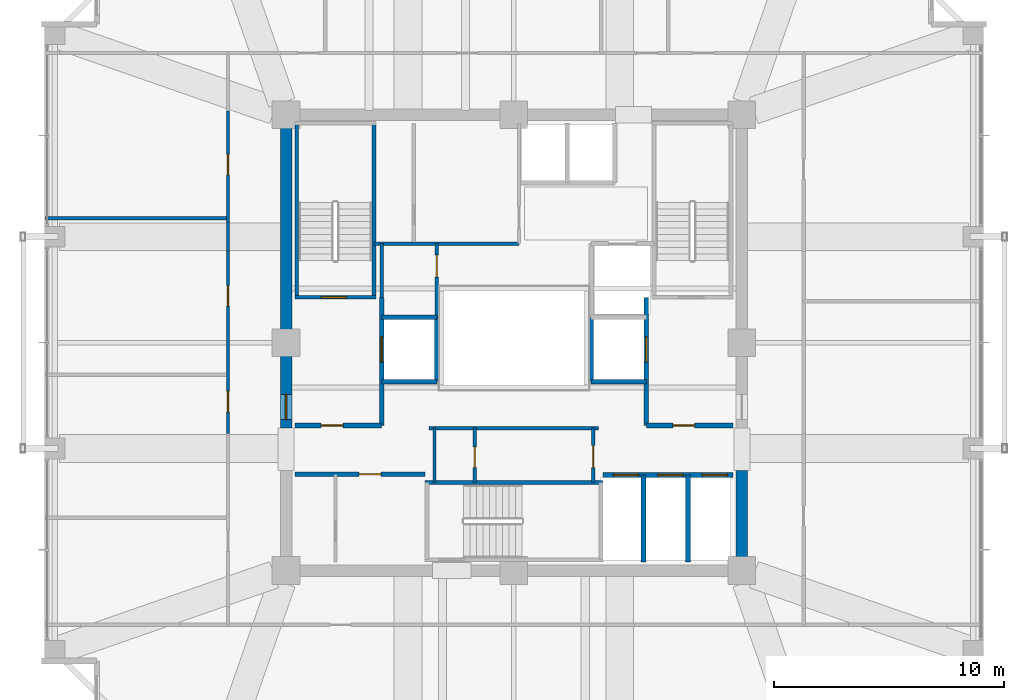
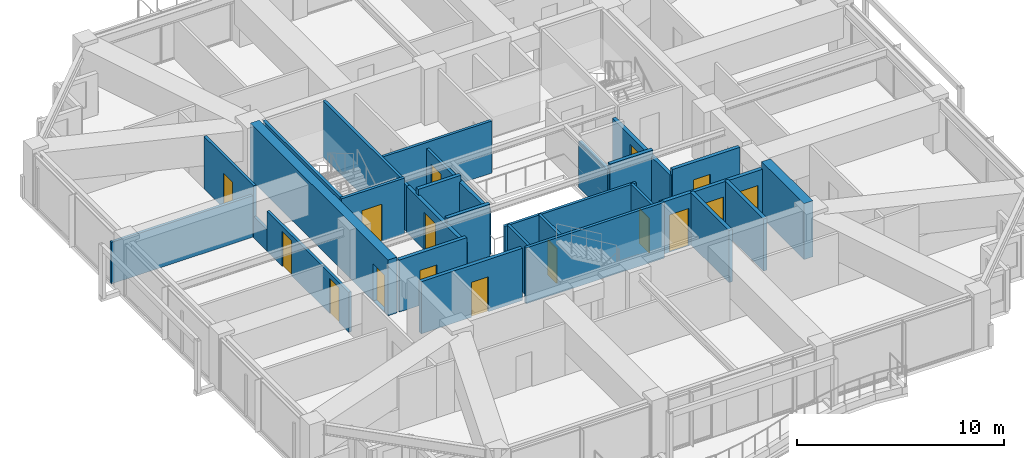
# One storey, part 32 of 37: 30 walls, 16 doors, 16 openings.
"""IFC4 building model written with IfcOpenShell, lengths in metres."""

from ifc_helpers import new_model, si_unit, direction, frame, frame_2d, origin, place, context, subcontext, project, spatial, rectangle, extrude, material, layer, layer_set, type_object, element, fill, save


model = new_model("IFC4")

# Units and contexts
model_context = context("Model", 3, precision=1e-05, world=origin(), true_north=direction((0.0, 1.0)))
body_context = subcontext(model_context, "Body", "Model", "MODEL_VIEW")
ifc_project = project(units=[si_unit("LENGTHUNIT", "METRE"), si_unit("AREAUNIT", "SQUARE_METRE"), si_unit("VOLUMEUNIT", "CUBIC_METRE"), si_unit("PLANEANGLEUNIT", "RADIAN"), si_unit("MASSUNIT", "GRAM", prefix="KILO")], contexts=[model_context])

# Site, building, storey
site_placement = place(None, origin())
site = spatial("IfcSite", under=ifc_project, at=site_placement, CompositionType="ELEMENT")
building_placement = place(site_placement, origin())
building = spatial("IfcBuilding", under=site, at=building_placement, Name="Kolvaren Belvedere", CompositionType="ELEMENT")
storey_placement = place(building_placement, frame((0.0, 0.0, 186.60009765625)))
storey = spatial("IfcBuildingStorey", under=building, at=storey_placement, Name="L54", CompositionType="ELEMENT", Elevation=186.60009765625)

# Wall
ifc_material_1 = material(Name="Concrete C50/60", Category="concrete")
ifc_layer_1 = layer(ifc_material_1, 0.5)
ifc_layer_set_1 = layer_set([ifc_layer_1], Name="Concrete C50/60")
wall_type_1 = type_object("IfcWallType", Name="CW-CORE-500", PredefinedType="SHEAR", material=ifc_layer_set_1)
wall_1_placement = place(storey_placement, frame((9.89990234375, -9.64990234375, 0.0), z_axis=(0.0, 0.0, 1.0), x_axis=(0.0, 1.0, 0.0)))
element("IfcWall", 1, at=wall_1_placement, inside=storey, type_object=wall_type_1, Name="L54 East Core Shear Wall 1", PredefinedType="SHEAR", context=body_context, shape_type="SweptSolid", body=[
    extrude(rectangle(XDim=4.099853515625, YDim=0.5, at=frame_2d((2.0498046875, 0.0))), origin(), (0.0, 0.0, 1.0), 3.2998046875),
])

# Wall, opening, door
wall_2_placement = place(storey_placement, frame((-9.89990234375, -3.699951171875, 0.0), z_axis=(0.0, 0.0, 1.0), x_axis=(0.0, 1.0, 0.0)))
wall_2 = element("IfcWall", 2, at=wall_2_placement, inside=storey, type_object=wall_type_1, Name="L54 West Core Shear Wall 2", PredefinedType="SHEAR", context=body_context, shape_type="SweptSolid", body=[
    extrude(rectangle(XDim=13.349853515625, YDim=0.5, at=frame_2d((6.6748046875, 0.0))), origin(), (0.0, 0.0, 1.0), 3.2998046875),
])
opening_1_placement = place(wall_2_placement, frame((0.35009765625, 0.0, 0.0)))
opening_1 = element("IfcOpeningElement", 3, at=opening_1_placement, cuts=wall_2, Name="Opening D-FD90", PredefinedType="OPENING", context=body_context, shape_type="SweptSolid", body=[
    extrude(rectangle(XDim=1.10009765625, YDim=2.199951171875, at=frame_2d((0.550048828125, 1.10009765625))), frame((0.0, 0.260009765625, 0.0), z_axis=(0.0, -1.0, 0.0), x_axis=(1.0, 0.0, 0.0)), (0.0, 0.0, 1.0), 0.52001953125),
])
ifc_material_2 = material(Name="Painted hollow stainless steel", Category="steel")
door_type_1 = type_object("IfcDoorType", Name="DR-FD90-1100", OperationType="NOTDEFINED", PredefinedType="DOOR", material=ifc_material_2)
door_1_placement = place(opening_1_placement, origin())
door_1 = element("IfcDoor", 4, at=door_1_placement, inside=storey, type_object=door_type_1, Name="L54 West Firefighting Lobby Fire Door", OperationType="SINGLE_SWING_LEFT", OverallHeight=2.199951171875, OverallWidth=1.10009765625, PredefinedType="DOOR", context=body_context, shape_type="SweptSolid", body=[
    extrude(rectangle(XDim=1.10009765625, YDim=2.199951171875, at=frame_2d((0.550048828125, 1.10009765625))), frame((0.0, 0.02490234375, 0.0), z_axis=(0.0, -1.0, 0.0), x_axis=(1.0, 0.0, 0.0)), (0.0, 0.0, 1.0), 0.050048828125),
])
fill(opening_1, door_1)

ifc_material_3 = material(Name="Concrete C50/60", Category="concrete")
ifc_layer_2 = layer(ifc_material_3, 0.159912109375)
ifc_layer_set_2 = layer_set([ifc_layer_2], Name="Concrete C50/60")
wall_type_2 = type_object("IfcWallType", Name="CW-STAIR-160", PredefinedType="SHEAR", material=ifc_layer_set_2)
wall_3_placement = place(storey_placement, frame((-9.52001953125, 1.969970703125, 0.0), z_axis=(0.0, 0.0, 1.0), x_axis=(1.0, 0.0, 0.0)))
wall_3 = element("IfcWall", 5, at=wall_3_placement, inside=storey, type_object=wall_type_2, Name="L54 Stair ST-1 South Shear Wall", PredefinedType="SHEAR", context=body_context, shape_type="SweptSolid", body=[
    extrude(rectangle(XDim=3.52001953125, YDim=0.159912109375, at=frame_2d((1.760009765625, 0.0))), origin(), (0.0, 0.0, 1.0), 3.2998046875),
])
opening_2_placement = place(wall_3_placement, frame((1.14990234375, 0.0, 0.0)))
opening_2 = element("IfcOpeningElement", 6, at=opening_2_placement, cuts=wall_3, Name="Opening D-FD90", PredefinedType="OPENING", context=body_context, shape_type="SweptSolid", body=[
    extrude(rectangle(XDim=1.10009765625, YDim=2.199951171875, at=frame_2d((0.550048828125, 1.10009765625))), frame((0.0, 0.08984375, 0.0), z_axis=(0.0, -1.0, 0.0), x_axis=(1.0, 0.0, 0.0)), (0.0, 0.0, 1.0), 0.179931640625),
])
door_2_placement = place(opening_2_placement, origin())
door_2 = element("IfcDoor", 7, at=door_2_placement, inside=storey, type_object=door_type_1, Name="L54 Stair ST-1 Fire Door", OperationType="SINGLE_SWING_LEFT", OverallHeight=2.199951171875, OverallWidth=1.10009765625, PredefinedType="DOOR", context=body_context, shape_type="SweptSolid", body=[
    extrude(rectangle(XDim=1.10009765625, YDim=2.199951171875, at=frame_2d((0.550048828125, 1.10009765625))), frame((0.0, 0.02490234375, 0.0), z_axis=(0.0, -1.0, 0.0), x_axis=(1.0, 0.0, 0.0)), (0.0, 0.0, 1.0), 0.050048828125),
])
fill(opening_2, door_2)

# Walls
for number, where, z_axis, x_axis, name in (
    (8, (-9.429931640625, 1.969970703125, 0.0), (0.0, 0.0, 1.0), (0.0, 1.0, 0.0), "L54 Stair ST-1 West Shear Wall"),
    (9, (-6.080078125, 1.969970703125, 0.0), (0.0, 0.0, 1.0), (0.0, 1.0, 0.0), "L54 Stair ST-1 East Shear Wall"),
):
    element("IfcWall", number, at=place(storey_placement, frame(where, z_axis=z_axis, x_axis=x_axis)), inside=storey, type_object=wall_type_2, Name=name, PredefinedType="SHEAR", context=body_context, shape_type="SweptSolid", body=[
        extrude(rectangle(XDim=7.56005859375, YDim=0.159912109375, at=frame_2d((3.780029296875, 0.0))), origin(), (0.0, 0.0, 1.0), 3.2998046875),
    ])
wall_4_placement = place(storey_placement, frame((-3.860107421875, -6.080078125, 0.0), z_axis=(0.0, 0.0, 1.0), x_axis=(1.0, 0.0, 0.0)))
element("IfcWall", 10, at=wall_4_placement, inside=storey, type_object=wall_type_2, Name="L54 Stair ST-3 North Shear Wall", PredefinedType="SHEAR", context=body_context, shape_type="SweptSolid", body=[
    extrude(rectangle(XDim=7.72021484375, YDim=0.159912109375, at=frame_2d((3.860107421875, 0.0))), origin(), (0.0, 0.0, 1.0), 3.2998046875),
])

# Wall, openings, doors
ifc_material_4 = material(Name="Gypsum fire-rated partition assembly", Category="gypsum")
ifc_layer_3 = layer(ifc_material_4, 0.14990234375)
ifc_layer_set_3 = layer_set([ifc_layer_3], Name="Gypsum fire-rated partition assembly")
wall_type_3 = type_object("IfcWallType", Name="WL-CORR-150", PredefinedType="PARTITIONING", material=ifc_layer_set_3)
wall_5_placement = place(storey_placement, frame((-12.419921875, -3.9580078125, 0.0), z_axis=(0.0, 0.0, 1.0), x_axis=(0.0, 1.0, 0.0)))
wall_5 = element("IfcWall", 11, at=wall_5_placement, inside=storey, type_object=wall_type_3, Name="L54 West Corridor Wall", PredefinedType="PARTITIONING", context=body_context, shape_type="SweptSolid", body=[
    extrude(rectangle(XDim=7.916015625, YDim=0.14990234375, at=frame_2d((3.9580078125, 0.0))), origin(), (0.0, 0.0, 1.0), 2.368896484375),
])
opening_3_placement = place(wall_5_placement, frame((0.941162109375, 0.0, 0.0)))
opening_3 = element("IfcOpeningElement", 12, at=opening_3_placement, cuts=wall_5, Name="Opening D-INT90", PredefinedType="OPENING", context=body_context, shape_type="SweptSolid", body=[
    extrude(rectangle(XDim=0.89990234375, YDim=2.06005859375, at=frame_2d((0.449951171875, 1.030029296875))), frame((0.0, 0.0849609375, 0.0), z_axis=(0.0, -1.0, 0.0), x_axis=(1.0, 0.0, 0.0)), (0.0, 0.0, 1.0), 0.169921875),
])
opening_4_placement = place(wall_5_placement, frame((5.5380859375, 0.0, 0.0)))
opening_4 = element("IfcOpeningElement", 13, at=opening_4_placement, cuts=wall_5, Name="Opening D-INT90", PredefinedType="OPENING", context=body_context, shape_type="SweptSolid", body=[
    extrude(rectangle(XDim=0.89990234375, YDim=2.06005859375, at=frame_2d((0.449951171875, 1.030029296875))), frame((0.0, 0.0849609375, 0.0), z_axis=(0.0, -1.0, 0.0), x_axis=(1.0, 0.0, 0.0)), (0.0, 0.0, 1.0), 0.169921875),
])
ifc_material_5 = material(Name="Stained Pacific white oak", Category="timber")
door_type_2 = type_object("IfcDoorType", Name="DR-INT-900", OperationType="NOTDEFINED", PredefinedType="DOOR", material=ifc_material_5)
door_3_placement = place(opening_3_placement, origin())
door_3 = element("IfcDoor", 14, at=door_3_placement, inside=storey, type_object=door_type_2, Name="L54 Private Hospitality Meeting Room 5405 Door", OperationType="SINGLE_SWING_RIGHT", OverallHeight=2.06005859375, OverallWidth=0.89990234375, PredefinedType="DOOR", context=body_context, shape_type="SweptSolid", body=[
    extrude(rectangle(XDim=0.89990234375, YDim=2.06005859375, at=frame_2d((0.449951171875, 1.030029296875))), frame((0.0, 0.02490234375, 0.0), z_axis=(0.0, -1.0, 0.0), x_axis=(1.0, 0.0, 0.0)), (0.0, 0.0, 1.0), 0.050048828125),
])
fill(opening_3, door_3)
door_4_placement = place(opening_4_placement, origin())
door_4 = element("IfcDoor", 15, at=door_4_placement, inside=storey, type_object=door_type_2, Name="L54 Botanical Reading Salon 5406 Door", OperationType="SINGLE_SWING_LEFT", OverallHeight=2.06005859375, OverallWidth=0.89990234375, PredefinedType="DOOR", context=body_context, shape_type="SweptSolid", body=[
    extrude(rectangle(XDim=0.89990234375, YDim=2.06005859375, at=frame_2d((0.449951171875, 1.030029296875))), frame((0.0, 0.02490234375, 0.0), z_axis=(0.0, -1.0, 0.0), x_axis=(1.0, 0.0, 0.0)), (0.0, 0.0, 1.0), 0.050048828125),
])
fill(opening_4, door_4)

# Wall
wall_6_placement = place(storey_placement, frame((-12.419921875, 3.9580078125, 0.0), z_axis=(0.0, 0.0, 1.0), x_axis=(0.0, 1.0, 0.0)))
element("IfcWall", 16, at=wall_6_placement, inside=storey, type_object=wall_type_3, Name="L54 West Corridor Wall", PredefinedType="PARTITIONING", context=body_context, shape_type="SweptSolid", body=[
    extrude(rectangle(XDim=1.283935546875, YDim=0.14990234375, at=frame_2d((0.64208984375, 0.0))), origin(), (0.0, 0.0, 1.0), 1.264892578125),
])

# Wall, opening, door
wall_7_placement = place(storey_placement, frame((-12.419921875, 5.241943359375, 0.0), z_axis=(0.0, 0.0, 1.0), x_axis=(0.0, 1.0, 0.0)))
wall_7 = element("IfcWall", 17, at=wall_7_placement, inside=storey, type_object=wall_type_3, Name="L54 West Corridor Wall", PredefinedType="PARTITIONING", context=body_context, shape_type="SweptSolid", body=[
    extrude(rectangle(XDim=4.827392578125, YDim=0.14990234375, at=frame_2d((2.41357421875, 0.0))), origin(), (0.0, 0.0, 1.0), 3.079833984375),
])
opening_5_placement = place(wall_7_placement, frame((2.039794921875, 0.0, 0.0)))
opening_5 = element("IfcOpeningElement", 18, at=opening_5_placement, cuts=wall_7, Name="Opening D-INT90", PredefinedType="OPENING", context=body_context, shape_type="SweptSolid", body=[
    extrude(rectangle(XDim=0.89990234375, YDim=2.06005859375, at=frame_2d((0.449951171875, 1.030029296875))), frame((0.0, 0.0849609375, 0.0), z_axis=(0.0, -1.0, 0.0), x_axis=(1.0, 0.0, 0.0)), (0.0, 0.0, 1.0), 0.169921875),
])
door_5_placement = place(opening_5_placement, origin())
door_5 = element("IfcDoor", 19, at=door_5_placement, inside=storey, type_object=door_type_2, Name="L54 Lounge 5407 Door", OperationType="SINGLE_SWING_RIGHT", OverallHeight=2.06005859375, OverallWidth=0.89990234375, PredefinedType="DOOR", context=body_context, shape_type="SweptSolid", body=[
    extrude(rectangle(XDim=0.89990234375, YDim=2.06005859375, at=frame_2d((0.449951171875, 1.030029296875))), frame((0.0, 0.02490234375, 0.0), z_axis=(0.0, -1.0, 0.0), x_axis=(1.0, 0.0, 0.0)), (0.0, 0.0, 1.0), 0.050048828125),
])
fill(opening_5, door_5)

# Walls
ifc_material_6 = material(Name="Gypsum acoustic partition assembly", Category="gypsum")
ifc_layer_4 = layer(ifc_material_6, 0.14990234375)
ifc_layer_set_4 = layer_set([ifc_layer_4], Name="Gypsum acoustic partition assembly")
wall_type_4 = type_object("IfcWallType", Name="WL-PART-150", PredefinedType="PARTITIONING", material=ifc_layer_set_4)
wall_8_placement = place(storey_placement, frame((-6.080078125, 4.300048828125, 0.0), z_axis=(0.0, 0.0, 1.0), x_axis=(1.0, 0.0, 0.0)))
element("IfcWall", 20, at=wall_8_placement, inside=storey, type_object=wall_type_4, Name="L54 Reclaimed Salon South Wall", PredefinedType="PARTITIONING", context=body_context, shape_type="SweptSolid", body=[
    extrude(rectangle(XDim=6.300048828125, YDim=0.14990234375, at=frame_2d((3.14990234375, 0.0))), origin(), (0.0, 0.0, 1.0), 3.079833984375),
])
wall_9_placement = place(storey_placement, frame((-3.679931640625, -3.719970703125, 0.0), z_axis=(0.0, 0.0, 1.0), x_axis=(1.0, 0.0, 0.0)))
element("IfcWall", 21, at=wall_9_placement, inside=storey, type_object=wall_type_4, Name="L54 South Core Service North Wall", PredefinedType="PARTITIONING", context=body_context, shape_type="SweptSolid", body=[
    extrude(rectangle(XDim=7.35986328125, YDim=0.14990234375, at=frame_2d((3.679931640625, 0.0))), origin(), (0.0, 0.0, 1.0), 3.079833984375),
])

# Wall, opening, door
wall_10_placement = place(storey_placement, frame((3.449951171875, -6.080078125, 0.0), z_axis=(0.0, 0.0, 1.0), x_axis=(0.0, 1.0, 0.0)))
wall_10 = element("IfcWall", 22, at=wall_10_placement, inside=storey, type_object=wall_type_4, Name="L54 South Core Service East Wall", PredefinedType="PARTITIONING", context=body_context, shape_type="SweptSolid", body=[
    extrude(rectangle(XDim=2.360107421875, YDim=0.14990234375, at=frame_2d((1.18017578125, 0.0))), origin(), (0.0, 0.0, 1.0), 3.079833984375),
])
opening_6_placement = place(wall_10_placement, frame((0.64990234375, 0.0, 0.0)))
opening_6 = element("IfcOpeningElement", 23, at=opening_6_placement, cuts=wall_10, Name="Opening D-FD60", PredefinedType="OPENING", context=body_context, shape_type="SweptSolid", body=[
    extrude(rectangle(XDim=0.949951171875, YDim=2.06005859375, at=frame_2d((0.47509765625, 1.030029296875))), frame((0.0, 0.0849609375, 0.0), z_axis=(0.0, -1.0, 0.0), x_axis=(1.0, 0.0, 0.0)), (0.0, 0.0, 1.0), 0.169921875),
])
ifc_material_7 = material(Name="Acoustic white-oak fire door leaf", Category="timber")
door_type_3 = type_object("IfcDoorType", Name="DR-FD60-950", OperationType="NOTDEFINED", PredefinedType="DOOR", material=ifc_material_7)
door_6_placement = place(opening_6_placement, origin())
door_6 = element("IfcDoor", 24, at=door_6_placement, inside=storey, type_object=door_type_3, Name="L54 Core Service Room Door", OperationType="SINGLE_SWING_LEFT", OverallHeight=2.06005859375, OverallWidth=0.949951171875, PredefinedType="DOOR", context=body_context, shape_type="SweptSolid", body=[
    extrude(rectangle(XDim=0.949951171875, YDim=2.06005859375, at=frame_2d((0.47509765625, 1.030029296875))), frame((0.0, 0.02490234375, 0.0), z_axis=(0.0, -1.0, 0.0), x_axis=(1.0, 0.0, 0.0)), (0.0, 0.0, 1.0), 0.050048828125),
])
fill(opening_6, door_6)

# Wall
wall_11_placement = place(storey_placement, frame((-3.449951171875, -6.080078125, 0.0), z_axis=(0.0, 0.0, 1.0), x_axis=(0.0, 1.0, 0.0)))
element("IfcWall", 25, at=wall_11_placement, inside=storey, type_object=wall_type_4, Name="L54 South Core Service West Wall", PredefinedType="PARTITIONING", context=body_context, shape_type="SweptSolid", body=[
    extrude(rectangle(XDim=2.360107421875, YDim=0.14990234375, at=frame_2d((1.18017578125, 0.0))), origin(), (0.0, 0.0, 1.0), 3.079833984375),
])

# Wall, opening, door
wall_12_placement = place(storey_placement, frame((-1.699951171875, -6.080078125, 0.0), z_axis=(0.0, 0.0, 1.0), x_axis=(0.0, 1.0, 0.0)))
wall_12 = element("IfcWall", 26, at=wall_12_placement, inside=storey, type_object=wall_type_4, Name="L54 Core Service Divider", PredefinedType="PARTITIONING", context=body_context, shape_type="SweptSolid", body=[
    extrude(rectangle(XDim=2.360107421875, YDim=0.14990234375, at=frame_2d((1.18017578125, 0.0))), origin(), (0.0, 0.0, 1.0), 3.079833984375),
])
opening_7_placement = place(wall_12_placement, frame((0.64990234375, 0.0, 0.0)))
opening_7 = element("IfcOpeningElement", 27, at=opening_7_placement, cuts=wall_12, Name="Opening D-INT90", PredefinedType="OPENING", context=body_context, shape_type="SweptSolid", body=[
    extrude(rectangle(XDim=0.89990234375, YDim=2.06005859375, at=frame_2d((0.449951171875, 1.030029296875))), frame((0.0, 0.0849609375, 0.0), z_axis=(0.0, -1.0, 0.0), x_axis=(1.0, 0.0, 0.0)), (0.0, 0.0, 1.0), 0.169921875),
])
door_7_placement = place(opening_7_placement, origin())
door_7 = element("IfcDoor", 28, at=door_7_placement, inside=storey, type_object=door_type_2, Name="L54 Telecom Inner Door", OperationType="SINGLE_SWING_RIGHT", OverallHeight=2.06005859375, OverallWidth=0.89990234375, PredefinedType="DOOR", context=body_context, shape_type="SweptSolid", body=[
    extrude(rectangle(XDim=0.89990234375, YDim=2.06005859375, at=frame_2d((0.449951171875, 1.030029296875))), frame((0.0, 0.02490234375, 0.0), z_axis=(0.0, -1.0, 0.0), x_axis=(1.0, 0.0, 0.0)), (0.0, 0.0, 1.0), 0.050048828125),
])
fill(opening_7, door_7)

wall_13_placement = place(storey_placement, frame((-3.35009765625, 1.10009765625, 0.0), z_axis=(0.0, 0.0, 1.0), x_axis=(0.0, 1.0, 0.0)))
wall_13 = element("IfcWall", 29, at=wall_13_placement, inside=storey, type_object=wall_type_4, Name="L54 NW Service Room East Wall", PredefinedType="PARTITIONING", context=body_context, shape_type="SweptSolid", body=[
    extrude(rectangle(XDim=3.199951171875, YDim=0.14990234375, at=frame_2d((1.60009765625, 0.0))), origin(), (0.0, 0.0, 1.0), 2.71484375),
])
opening_8_placement = place(wall_13_placement, frame((1.75, 0.0, 0.0)))
opening_8 = element("IfcOpeningElement", 30, at=opening_8_placement, cuts=wall_13, Name="Opening D-FD60", PredefinedType="OPENING", context=body_context, shape_type="SweptSolid", body=[
    extrude(rectangle(XDim=0.949951171875, YDim=2.06005859375, at=frame_2d((0.47509765625, 1.030029296875))), frame((0.0, 0.0849609375, 0.0), z_axis=(0.0, -1.0, 0.0), x_axis=(1.0, 0.0, 0.0)), (0.0, 0.0, 1.0), 0.169921875),
])
door_8_placement = place(opening_8_placement, origin())
door_8 = element("IfcDoor", 31, at=door_8_placement, inside=storey, type_object=door_type_3, Name="L54 NW Core Store Door", OperationType="SINGLE_SWING_LEFT", OverallHeight=2.06005859375, OverallWidth=0.949951171875, PredefinedType="DOOR", context=body_context, shape_type="SweptSolid", body=[
    extrude(rectangle(XDim=0.949951171875, YDim=2.06005859375, at=frame_2d((0.47509765625, 1.030029296875))), frame((0.0, 0.02490234375, 0.0), z_axis=(0.0, -1.0, 0.0), x_axis=(1.0, 0.0, 0.0)), (0.0, 0.0, 1.0), 0.050048828125),
])
fill(opening_8, door_8)

# Walls
wall_14_placement = place(storey_placement, frame((-5.75, 1.969970703125, 0.0), z_axis=(0.0, 0.0, 1.0), x_axis=(0.0, 1.0, 0.0)))
element("IfcWall", 32, at=wall_14_placement, inside=storey, type_object=wall_type_4, Name="L54 NW Service Room West Wall", PredefinedType="PARTITIONING", context=body_context, shape_type="SweptSolid", body=[
    extrude(rectangle(XDim=2.330078125, YDim=0.14990234375, at=frame_2d((1.1650390625, 0.0))), origin(), (0.0, 0.0, 1.0), 2.71484375),
])
wall_15_placement = place(storey_placement, frame((-20.3798828125, 5.39990234375, 0.0), z_axis=(0.0, 0.0, 1.0), x_axis=(1.0, 0.0, 0.0)))
element("IfcWall", 33, at=wall_15_placement, inside=storey, type_object=wall_type_4, Name="L54 West Suite Demising Wall 3", PredefinedType="PARTITIONING", context=body_context, shape_type="SweptSolid", body=[
    extrude(rectangle(XDim=7.9599609375, YDim=0.14990234375, at=frame_2d((3.97998046875, 0.0))), origin(), (0.0, 0.0, 1.0), 2.452880859375),
])

# Wall, opening, door
ifc_material_8 = material(Name="Concrete C50/60", Category="concrete")
ifc_layer_5 = layer(ifc_material_8, 0.199951171875)
ifc_layer_set_5 = layer_set([ifc_layer_5], Name="Concrete C50/60")
wall_type_5 = type_object("IfcWallType", Name="WL-SHAFT-200", PredefinedType="SOLIDWALL", material=ifc_layer_set_5)
wall_16_placement = place(storey_placement, frame((-9.52001953125, -3.60009765625, 0.0), z_axis=(0.0, 0.0, 1.0), x_axis=(1.0, 0.0, 0.0)))
wall_16 = element("IfcWall", 34, at=wall_16_placement, inside=storey, type_object=wall_type_5, Name="L54 West FSAE Lobby South Wall", PredefinedType="SOLIDWALL", context=body_context, shape_type="SweptSolid", body=[
    extrude(rectangle(XDim=3.77001953125, YDim=0.199951171875, at=frame_2d((1.885009765625, 0.0))), origin(), (0.0, 0.0, 1.0), 3.079833984375),
])
opening_9_placement = place(wall_16_placement, frame((1.14990234375, 0.0, 0.0)))
opening_9 = element("IfcOpeningElement", 35, at=opening_9_placement, cuts=wall_16, Name="Opening D-FD60", PredefinedType="OPENING", context=body_context, shape_type="SweptSolid", body=[
    extrude(rectangle(XDim=0.949951171875, YDim=2.06005859375, at=frame_2d((0.47509765625, 1.030029296875))), frame((0.0, 0.10986328125, 0.0), z_axis=(0.0, -1.0, 0.0), x_axis=(1.0, 0.0, 0.0)), (0.0, 0.0, 1.0), 0.219970703125),
])
door_9_placement = place(opening_9_placement, origin())
door_9 = element("IfcDoor", 36, at=door_9_placement, inside=storey, type_object=door_type_3, Name="L54 SW Lobby Fire Door", OperationType="SINGLE_SWING_LEFT", OverallHeight=2.06005859375, OverallWidth=0.949951171875, PredefinedType="DOOR", context=body_context, shape_type="SweptSolid", body=[
    extrude(rectangle(XDim=0.949951171875, YDim=2.06005859375, at=frame_2d((0.47509765625, 1.030029296875))), frame((0.0, 0.02490234375, 0.0), z_axis=(0.0, -1.0, 0.0), x_axis=(1.0, 0.0, 0.0)), (0.0, 0.0, 1.0), 0.050048828125),
])
fill(opening_9, door_9)

wall_17_placement = place(storey_placement, frame((-5.75, -3.60009765625, 0.0), z_axis=(0.0, 0.0, 1.0), x_axis=(0.0, 1.0, 0.0)))
wall_17 = element("IfcWall", 37, at=wall_17_placement, inside=storey, type_object=wall_type_5, Name="L54 FSAE FS1 Landing Wall", PredefinedType="SOLIDWALL", context=body_context, shape_type="SweptSolid", body=[
    extrude(rectangle(XDim=5.570068359375, YDim=0.199951171875, at=frame_2d((2.78515625, 0.0))), origin(), (0.0, 0.0, 1.0), 2.71484375),
])
opening_10_placement = place(wall_17_placement, frame((2.75, 0.0, 0.0)))
opening_10 = element("IfcOpeningElement", 38, at=opening_10_placement, cuts=wall_17, Name="Opening LD-11", PredefinedType="OPENING", context=body_context, shape_type="SweptSolid", body=[
    extrude(rectangle(XDim=1.10009765625, YDim=2.199951171875, at=frame_2d((0.550048828125, 1.10009765625))), frame((0.0, 0.10986328125, 0.0), z_axis=(0.0, -1.0, 0.0), x_axis=(1.0, 0.0, 0.0)), (0.0, 0.0, 1.0), 0.219970703125),
])
ifc_material_9 = material(Name="Brushed stainless steel", Category="steel")
door_type_4 = type_object("IfcDoorType", Name="DR-LIFT-1100", OperationType="DOUBLE_DOOR_SLIDING", PredefinedType="DOOR", material=ifc_material_9)
door_10_placement = place(opening_10_placement, origin())
door_10 = element("IfcDoor", 39, at=door_10_placement, inside=storey, type_object=door_type_4, Name="L54 Firefighting Lift FS1 Landing Door", OperationType="DOUBLE_DOOR_SLIDING", OverallHeight=2.199951171875, OverallWidth=1.10009765625, PredefinedType="DOOR", context=body_context, shape_type="SweptSolid", body=[
    extrude(rectangle(XDim=1.10009765625, YDim=2.199951171875, at=frame_2d((0.550048828125, 1.10009765625))), frame((0.0, 0.02490234375, 0.0), z_axis=(0.0, -1.0, 0.0), x_axis=(1.0, 0.0, 0.0)), (0.0, 0.0, 1.0), 0.050048828125),
])
fill(opening_10, door_10)

# Walls
wall_18_placement = place(storey_placement, frame((-3.35009765625, -1.699951171875, 0.0), z_axis=(0.0, 0.0, 1.0), x_axis=(0.0, 1.0, 0.0)))
element("IfcWall", 40, at=wall_18_placement, inside=storey, type_object=wall_type_5, Name="L54 FSAE FS1 Back Wall", PredefinedType="SOLIDWALL", context=body_context, shape_type="SweptSolid", body=[
    extrude(rectangle(XDim=2.800048828125, YDim=0.199951171875, at=frame_2d((1.39990234375, 0.0))), origin(), (0.0, 0.0, 1.0), 2.71484375),
])
for number, where, z_axis, x_axis, name in (
    (41, (-5.75, -1.699951171875, 0.0), (0.0, 0.0, 1.0), (1.0, 0.0, 0.0), "L54 FSAE FS1 South Wall"),
    (42, (-5.75, 1.10009765625, 0.0), (0.0, 0.0, 1.0), (1.0, 0.0, 0.0), "L54 FSAE FS1 North Wall"),
):
    element("IfcWall", number, at=place(storey_placement, frame(where, z_axis=z_axis, x_axis=x_axis)), inside=storey, type_object=wall_type_5, Name=name, PredefinedType="SOLIDWALL", context=body_context, shape_type="SweptSolid", body=[
        extrude(rectangle(XDim=2.39990234375, YDim=0.199951171875, at=frame_2d((1.199951171875, 0.0))), origin(), (0.0, 0.0, 1.0), 3.079833984375),
    ])

# Wall, opening, door
wall_19_placement = place(storey_placement, frame((5.75, -3.60009765625, 0.0), z_axis=(0.0, 0.0, 1.0), x_axis=(1.0, 0.0, 0.0)))
wall_19 = element("IfcWall", 43, at=wall_19_placement, inside=storey, type_object=wall_type_5, Name="L54 East FSAE Lobby South Wall", PredefinedType="SOLIDWALL", context=body_context, shape_type="SweptSolid", body=[
    extrude(rectangle(XDim=3.77001953125, YDim=0.199951171875, at=frame_2d((1.885009765625, 0.0))), origin(), (0.0, 0.0, 1.0), 3.079833984375),
])
opening_11_placement = place(wall_19_placement, frame((1.14990234375, 0.0, 0.0)))
opening_11 = element("IfcOpeningElement", 44, at=opening_11_placement, cuts=wall_19, Name="Opening D-FD60", PredefinedType="OPENING", context=body_context, shape_type="SweptSolid", body=[
    extrude(rectangle(XDim=0.949951171875, YDim=2.06005859375, at=frame_2d((0.47509765625, 1.030029296875))), frame((0.0, 0.10986328125, 0.0), z_axis=(0.0, -1.0, 0.0), x_axis=(1.0, 0.0, 0.0)), (0.0, 0.0, 1.0), 0.219970703125),
])
door_11_placement = place(opening_11_placement, origin())
door_11 = element("IfcDoor", 45, at=door_11_placement, inside=storey, type_object=door_type_3, Name="L54 SE Lift Lobby Fire Door", OperationType="SINGLE_SWING_RIGHT", OverallHeight=2.06005859375, OverallWidth=0.949951171875, PredefinedType="DOOR", context=body_context, shape_type="SweptSolid", body=[
    extrude(rectangle(XDim=0.949951171875, YDim=2.06005859375, at=frame_2d((0.47509765625, 1.030029296875))), frame((0.0, 0.02490234375, 0.0), z_axis=(0.0, -1.0, 0.0), x_axis=(1.0, 0.0, 0.0)), (0.0, 0.0, 1.0), 0.050048828125),
])
fill(opening_11, door_11)

wall_20_placement = place(storey_placement, frame((5.75, -3.60009765625, 0.0), z_axis=(0.0, 0.0, 1.0), x_axis=(0.0, 1.0, 0.0)))
wall_20 = element("IfcWall", 46, at=wall_20_placement, inside=storey, type_object=wall_type_5, Name="L54 FSAE FS2 Landing Wall", PredefinedType="SOLIDWALL", context=body_context, shape_type="SweptSolid", body=[
    extrude(rectangle(XDim=5.570068359375, YDim=0.199951171875, at=frame_2d((2.78515625, 0.0))), origin(), (0.0, 0.0, 1.0), 2.71484375),
])
opening_12_placement = place(wall_20_placement, frame((2.75, 0.0, 0.0)))
opening_12 = element("IfcOpeningElement", 47, at=opening_12_placement, cuts=wall_20, Name="Opening LD-11", PredefinedType="OPENING", context=body_context, shape_type="SweptSolid", body=[
    extrude(rectangle(XDim=1.10009765625, YDim=2.199951171875, at=frame_2d((0.550048828125, 1.10009765625))), frame((0.0, 0.10986328125, 0.0), z_axis=(0.0, -1.0, 0.0), x_axis=(1.0, 0.0, 0.0)), (0.0, 0.0, 1.0), 0.219970703125),
])
door_12_placement = place(opening_12_placement, origin())
door_12 = element("IfcDoor", 48, at=door_12_placement, inside=storey, type_object=door_type_4, Name="L54 Firefighting Lift FS2 Landing Door", OperationType="DOUBLE_DOOR_SLIDING", OverallHeight=2.199951171875, OverallWidth=1.10009765625, PredefinedType="DOOR", context=body_context, shape_type="SweptSolid", body=[
    extrude(rectangle(XDim=1.10009765625, YDim=2.199951171875, at=frame_2d((0.550048828125, 1.10009765625))), frame((0.0, 0.02490234375, 0.0), z_axis=(0.0, -1.0, 0.0), x_axis=(1.0, 0.0, 0.0)), (0.0, 0.0, 1.0), 0.050048828125),
])
fill(opening_12, door_12)

# Walls
wall_21_placement = place(storey_placement, frame((3.35009765625, -1.699951171875, 0.0), z_axis=(0.0, 0.0, 1.0), x_axis=(0.0, 1.0, 0.0)))
element("IfcWall", 49, at=wall_21_placement, inside=storey, type_object=wall_type_5, Name="L54 FSAE FS2 Back Wall", PredefinedType="SOLIDWALL", context=body_context, shape_type="SweptSolid", body=[
    extrude(rectangle(XDim=2.800048828125, YDim=0.199951171875, at=frame_2d((1.39990234375, 0.0))), origin(), (0.0, 0.0, 1.0), 2.71484375),
])
wall_22_placement = place(storey_placement, frame((3.35009765625, -1.699951171875, 0.0), z_axis=(0.0, 0.0, 1.0), x_axis=(1.0, 0.0, 0.0)))
element("IfcWall", 50, at=wall_22_placement, inside=storey, type_object=wall_type_5, Name="L54 FSAE FS2 South Wall", PredefinedType="SOLIDWALL", context=body_context, shape_type="SweptSolid", body=[
    extrude(rectangle(XDim=2.39990234375, YDim=0.199951171875, at=frame_2d((1.199951171875, 0.0))), origin(), (0.0, 0.0, 1.0), 3.079833984375),
])

# Wall, opening, door
wall_23_placement = place(storey_placement, frame((-9.52001953125, -5.719970703125, 0.0), z_axis=(0.0, 0.0, 1.0), x_axis=(1.0, 0.0, 0.0)))
wall_23 = element("IfcWall", 51, at=wall_23_placement, inside=storey, type_object=wall_type_5, Name="L54 Reclaimed Mid Room North Wall", PredefinedType="SOLIDWALL", context=body_context, shape_type="SweptSolid", body=[
    extrude(rectangle(XDim=5.659912109375, YDim=0.199951171875, at=frame_2d((2.830078125, 0.0))), origin(), (0.0, 0.0, 1.0), 3.079833984375),
])
opening_13_placement = place(wall_23_placement, frame((2.800048828125, 0.0, 0.0)))
opening_13 = element("IfcOpeningElement", 52, at=opening_13_placement, cuts=wall_23, Name="Opening D-FD60", PredefinedType="OPENING", context=body_context, shape_type="SweptSolid", body=[
    extrude(rectangle(XDim=0.949951171875, YDim=2.06005859375, at=frame_2d((0.47509765625, 1.030029296875))), frame((0.0, 0.10986328125, 0.0), z_axis=(0.0, -1.0, 0.0), x_axis=(1.0, 0.0, 0.0)), (0.0, 0.0, 1.0), 0.219970703125),
])
door_13_placement = place(opening_13_placement, origin())
door_13 = element("IfcDoor", 53, at=door_13_placement, inside=storey, type_object=door_type_3, Name="L54 Reading Lounge Door", OperationType="SINGLE_SWING_LEFT", OverallHeight=2.06005859375, OverallWidth=0.949951171875, PredefinedType="DOOR", context=body_context, shape_type="SweptSolid", body=[
    extrude(rectangle(XDim=0.949951171875, YDim=2.06005859375, at=frame_2d((0.47509765625, 1.030029296875))), frame((0.0, 0.02490234375, 0.0), z_axis=(0.0, -1.0, 0.0), x_axis=(1.0, 0.0, 0.0)), (0.0, 0.0, 1.0), 0.050048828125),
])
fill(opening_13, door_13)

# Wall, openings, doors
wall_24_placement = place(storey_placement, frame((3.860107421875, -5.75, 0.0), z_axis=(0.0, 0.0, 1.0), x_axis=(1.0, 0.0, 0.0)))
wall_24 = element("IfcWall", 54, at=wall_24_placement, inside=storey, type_object=wall_type_5, Name="L54 High-Rise Lift Bank Front Wall", PredefinedType="SOLIDWALL", context=body_context, shape_type="SweptSolid", body=[
    extrude(rectangle(XDim=5.659912109375, YDim=0.199951171875, at=frame_2d((2.830078125, 0.0))), origin(), (0.0, 0.0, 1.0), 3.079833984375),
])
opening_14_placement = place(wall_24_placement, frame((0.4599609375, 0.0, 0.0)))
opening_14 = element("IfcOpeningElement", 55, at=opening_14_placement, cuts=wall_24, Name="Opening LD-11", PredefinedType="OPENING", context=body_context, shape_type="SweptSolid", body=[
    extrude(rectangle(XDim=1.10009765625, YDim=2.199951171875, at=frame_2d((0.550048828125, 1.10009765625))), frame((0.0, 0.10986328125, 0.0), z_axis=(0.0, -1.0, 0.0), x_axis=(1.0, 0.0, 0.0)), (0.0, 0.0, 1.0), 0.219970703125),
])
opening_15_placement = place(wall_24_placement, frame((2.389892578125, 0.0, 0.0)))
opening_15 = element("IfcOpeningElement", 56, at=opening_15_placement, cuts=wall_24, Name="Opening LD-11", PredefinedType="OPENING", context=body_context, shape_type="SweptSolid", body=[
    extrude(rectangle(XDim=1.10009765625, YDim=2.199951171875, at=frame_2d((0.550048828125, 1.10009765625))), frame((0.0, 0.10986328125, 0.0), z_axis=(0.0, -1.0, 0.0), x_axis=(1.0, 0.0, 0.0)), (0.0, 0.0, 1.0), 0.219970703125),
])
opening_16_placement = place(wall_24_placement, frame((4.320068359375, 0.0, 0.0)))
opening_16 = element("IfcOpeningElement", 57, at=opening_16_placement, cuts=wall_24, Name="Opening LD-11", PredefinedType="OPENING", context=body_context, shape_type="SweptSolid", body=[
    extrude(rectangle(XDim=1.10009765625, YDim=2.199951171875, at=frame_2d((0.550048828125, 1.10009765625))), frame((0.0, 0.10986328125, 0.0), z_axis=(0.0, -1.0, 0.0), x_axis=(1.0, 0.0, 0.0)), (0.0, 0.0, 1.0), 0.219970703125),
])
door_14_placement = place(opening_14_placement, origin())
door_14 = element("IfcDoor", 58, at=door_14_placement, inside=storey, type_object=door_type_4, Name="L54 Passenger Lift P7 Landing Door", OperationType="DOUBLE_DOOR_SLIDING", OverallHeight=2.199951171875, OverallWidth=1.10009765625, PredefinedType="DOOR", context=body_context, shape_type="SweptSolid", body=[
    extrude(rectangle(XDim=1.10009765625, YDim=2.199951171875, at=frame_2d((0.550048828125, 1.10009765625))), frame((0.0, 0.02490234375, 0.0), z_axis=(0.0, -1.0, 0.0), x_axis=(1.0, 0.0, 0.0)), (0.0, 0.0, 1.0), 0.050048828125),
])
fill(opening_14, door_14)
door_15_placement = place(opening_15_placement, origin())
door_15 = element("IfcDoor", 59, at=door_15_placement, inside=storey, type_object=door_type_4, Name="L54 Passenger Lift P8 Landing Door", OperationType="DOUBLE_DOOR_SLIDING", OverallHeight=2.199951171875, OverallWidth=1.10009765625, PredefinedType="DOOR", context=body_context, shape_type="SweptSolid", body=[
    extrude(rectangle(XDim=1.10009765625, YDim=2.199951171875, at=frame_2d((0.550048828125, 1.10009765625))), frame((0.0, 0.02490234375, 0.0), z_axis=(0.0, -1.0, 0.0), x_axis=(1.0, 0.0, 0.0)), (0.0, 0.0, 1.0), 0.050048828125),
])
fill(opening_15, door_15)
door_16_placement = place(opening_16_placement, origin())
door_16 = element("IfcDoor", 60, at=door_16_placement, inside=storey, type_object=door_type_4, Name="L54 Passenger Lift P9 Landing Door", OperationType="DOUBLE_DOOR_SLIDING", OverallHeight=2.199951171875, OverallWidth=1.10009765625, PredefinedType="DOOR", context=body_context, shape_type="SweptSolid", body=[
    extrude(rectangle(XDim=1.10009765625, YDim=2.199951171875, at=frame_2d((0.550048828125, 1.10009765625))), frame((0.0, 0.02490234375, 0.0), z_axis=(0.0, -1.0, 0.0), x_axis=(1.0, 0.0, 0.0)), (0.0, 0.0, 1.0), 0.050048828125),
])
fill(opening_16, door_16)

# Walls
for number, where, z_axis, x_axis, name in (
    (61, (5.6298828125, -9.52001953125, 0.0), (0.0, 0.0, 1.0), (0.0, 1.0, 0.0), "L54 High-Rise Hoistway Divider 1"),
    (62, (7.56005859375, -9.52001953125, 0.0), (0.0, 0.0, 1.0), (0.0, 1.0, 0.0), "L54 High-Rise Hoistway Divider 2"),
):
    element("IfcWall", number, at=place(storey_placement, frame(where, z_axis=z_axis, x_axis=x_axis)), inside=storey, type_object=wall_type_5, Name=name, PredefinedType="SOLIDWALL", context=body_context, shape_type="SweptSolid", body=[
        extrude(rectangle(XDim=3.77001953125, YDim=0.199951171875, at=frame_2d((1.885009765625, 0.0))), origin(), (0.0, 0.0, 1.0), 3.079833984375),
    ])

save(model, "model.ifc")
